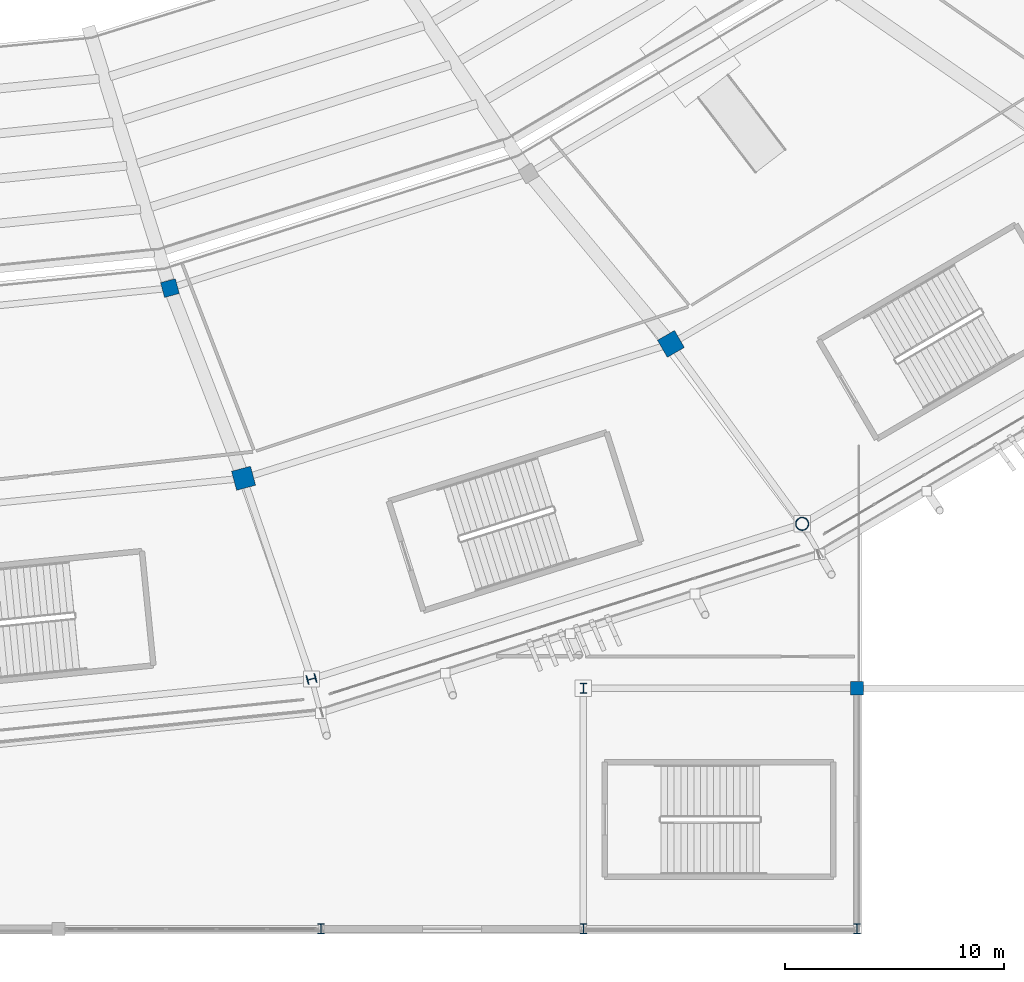
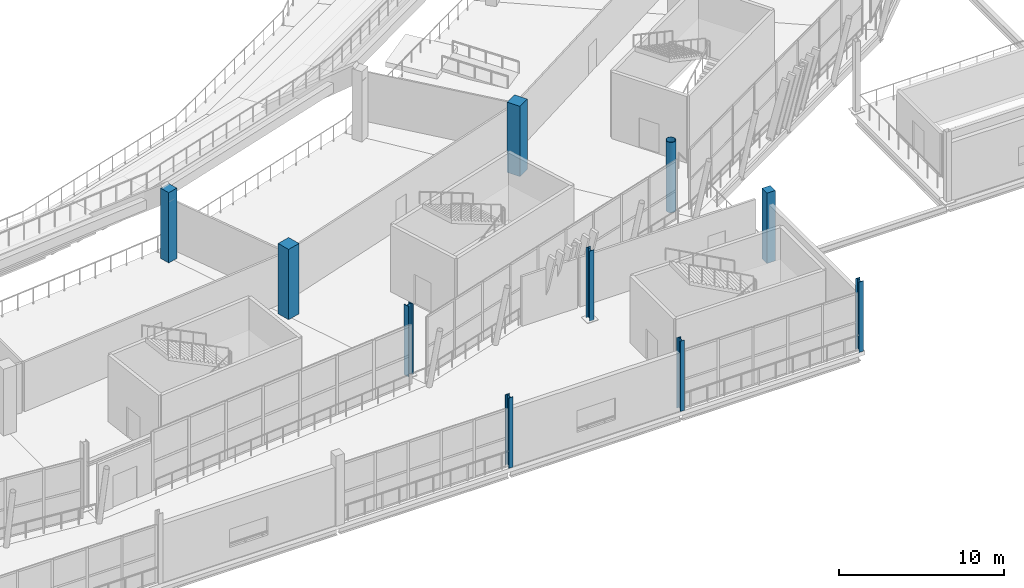
# One storey, part 11 of 178: 10 columns.
"""IFC4 building model written with IfcOpenShell, lengths in metres."""

from ifc_helpers import new_model, si_unit, direction, frame, origin, origin_2d, place, context, subcontext, project, spatial, rectangle, hollow_circle, i_section, extrude, material, material_profile, profile_set, type_object, element, save


model = new_model("IFC4")

# Units and contexts
model_context = context("Model", 3, precision=1e-05, world=origin(), true_north=direction((0.0, 1.0)))
body_context = subcontext(model_context, "Body", "Model", "MODEL_VIEW")
ifc_project = project(units=[si_unit("LENGTHUNIT", "METRE"), si_unit("AREAUNIT", "SQUARE_METRE"), si_unit("VOLUMEUNIT", "CUBIC_METRE"), si_unit("PLANEANGLEUNIT", "RADIAN"), si_unit("MASSUNIT", "GRAM", prefix="KILO")], contexts=[model_context])

# Site, building, storey
site_placement = place(None, origin())
site = spatial("IfcSite", under=ifc_project, at=site_placement, CompositionType="ELEMENT")
building_placement = place(site_placement, origin())
building = spatial("IfcBuilding", under=site, at=building_placement, Name="Zlatoyarsky Gate Stadium", CompositionType="ELEMENT")
storey_placement = place(building_placement, frame((0.0, 0.0, 5.39990234375)))
storey = spatial("IfcBuildingStorey", under=building, at=storey_placement, Name="L01", CompositionType="ELEMENT", Elevation=5.39990234375)

# Columns
ifc_material_1 = material(Name="Concrete C40/50", Category="concrete")
ifc_material_profile_1 = material_profile(ifc_material_1, rectangle(XDim=0.60009765625, YDim=0.60009765625, at=origin_2d()), Name="RC COL 600X600")
ifc_profile_set_1 = profile_set([ifc_material_profile_1], Name="Concrete C40/50")
column_type_1 = type_object("IfcColumnType", Name="CONCRETE COLUMN 600X600", PredefinedType="COLUMN", material=ifc_profile_set_1)
column_1_placement = place(storey_placement, frame((160.0, 11.0, 0.0), z_axis=(0.0, 0.0, 1.0), x_axis=(1.0, 0.0, 0.0)))
element("IfcColumn", 1, at=column_1_placement, inside=storey, type_object=column_type_1, Name="Column RC-C60 WG-14-B on L01", PredefinedType="COLUMN", context=body_context, shape_type="SweptSolid", body=[
    extrude(rectangle(XDim=0.60009765625, YDim=0.60009765625, at=origin_2d()), origin(), (0.0, 0.0, 1.0), 5.2001953125),
])
ifc_material_profile_2 = material_profile(ifc_material_1, rectangle(XDim=0.699951171875, YDim=0.699951171875, at=origin_2d()), Name="RC COL 700X700")
ifc_profile_set_2 = profile_set([ifc_material_profile_2], Name="Concrete C40/50")
column_type_2 = type_object("IfcColumnType", Name="CONCRETE COLUMN 700X700", PredefinedType="COLUMN", material=ifc_profile_set_2)
column_2_placement = place(storey_placement, frame((128.599609375, 29.288818359375, 0.0), z_axis=(0.0, 0.0, 1.0), x_axis=(0.258819045103, -0.965925826289, 0.0)))
element("IfcColumn", 2, at=column_2_placement, inside=storey, type_object=column_type_2, Name="Column RC-C70 RA-19 on L01", PredefinedType="COLUMN", context=body_context, shape_type="SweptSolid", body=[
    extrude(rectangle(XDim=0.699951171875, YDim=0.699951171875, at=origin_2d()), origin(), (0.0, 0.0, 1.0), 5.2001953125),
])
ifc_material_profile_3 = material_profile(ifc_material_1, rectangle(XDim=0.89990234375, YDim=0.89990234375, at=origin_2d()), Name="RC COL 900X900")
ifc_profile_set_3 = profile_set([ifc_material_profile_3], Name="Concrete C40/50")
column_type_3 = type_object("IfcColumnType", Name="CONCRETE COLUMN 900X900", PredefinedType="COLUMN", material=ifc_profile_set_3)
for number, where, z_axis, x_axis, name in (
    (3, (131.96435546875, 20.595703125, 0.0), (0.0, 0.0, 1.0), (0.258819045103, -0.965925826289, 0.0), "Column RC-C90 RB-19 on L01"),
    (4, (151.5, 26.739501953125, 0.0), (0.0, 0.0, 1.0), (0.5, -0.866025403784, 0.0), "Column RC-C90 RB-20 on L01"),
):
    element("IfcColumn", number, at=place(storey_placement, frame(where, z_axis=z_axis, x_axis=x_axis)), inside=storey, type_object=column_type_3, Name=name, PredefinedType="COLUMN", context=body_context, shape_type="SweptSolid", body=[
        extrude(rectangle(XDim=0.89990234375, YDim=0.89990234375, at=origin_2d()), origin(), (0.0, 0.0, 1.0), 5.2001953125),
    ])
ifc_material_2 = material(Name="Steel S355", Category="steel")
ifc_material_profile_4 = material_profile(ifc_material_2, i_section(OverallWidth=0.300048828125, OverallDepth=0.449951171875, WebThickness=0.013916015625, FlangeThickness=0.02587890625, FilletRadius=0.027099609375, at=origin_2d()), Name="HEB 450")
ifc_profile_set_4 = profile_set([ifc_material_profile_4], Name="Steel S355")
column_type_4 = type_object("IfcColumnType", Name="STEEL COLUMN HEB 450", PredefinedType="COLUMN", material=ifc_profile_set_4)
for number, where, z_axis, x_axis, name in (
    (5, (135.5, 0.0, 0.0), (0.0, 0.0, 1.0), (1.0, 0.0, 0.0), "Column ST-C450 WG-12-A on L01"),
    (6, (147.5, 0.0, 0.0), (0.0, 0.0, 1.0), (1.0, 0.0, 0.0), "Column ST-C450 WG-13-A on L01"),
    (7, (147.5, 11.0, 0.0), (0.0, 0.0, 1.0), (1.0, 0.0, 0.0), "Column ST-C450 WG-13-B on L01"),
    (8, (160.0, 0.0, 0.0), (0.0, 0.0, 1.0), (1.0, 0.0, 0.0), "Column ST-C450 WG-14-A on L01"),
):
    element("IfcColumn", number, at=place(storey_placement, frame(where, z_axis=z_axis, x_axis=x_axis)), inside=storey, type_object=column_type_4, Name=name, PredefinedType="COLUMN", context=body_context, shape_type="SweptSolid", body=[
        extrude(i_section(OverallWidth=0.300048828125, OverallDepth=0.449951171875, WebThickness=0.013916015625, FlangeThickness=0.02587890625, FilletRadius=0.027099609375, at=origin_2d()), origin(), (0.0, 0.0, 1.0), 5.2001953125),
    ])
ifc_material_profile_5 = material_profile(ifc_material_2, i_section(OverallWidth=0.406005859375, OverallDepth=0.416015625, WebThickness=0.02392578125, FlangeThickness=0.0390625, FilletRadius=0.014892578125, at=origin_2d()), Name="HD 400X382")
ifc_profile_set_5 = profile_set([ifc_material_profile_5], Name="Steel S355")
column_type_5 = type_object("IfcColumnType", Name="STEEL PORTAL PILASTER HD 400X382", PredefinedType="PILASTER", material=ifc_profile_set_5)
column_3_placement = place(storey_placement, frame((135.0703125, 11.419189453125, 0.0), z_axis=(0.0, 0.0, 1.0), x_axis=(0.258819045103, -0.965925826289, 0.0)))
element("IfcColumn", 9, at=column_3_placement, inside=storey, type_object=column_type_5, Name="Column ST-CHD RC-19 on L01", PredefinedType="PILASTER", context=body_context, shape_type="SweptSolid", body=[
    extrude(i_section(OverallWidth=0.406005859375, OverallDepth=0.416015625, WebThickness=0.02392578125, FlangeThickness=0.0390625, FilletRadius=0.014892578125, at=origin_2d()), origin(), (0.0, 0.0, 1.0), 5.2001953125),
])
ifc_material_profile_6 = material_profile(ifc_material_2, hollow_circle(Radius=0.304931640625, WallThickness=0.030029296875, at=origin_2d()), Name="CHS 610X30")
ifc_profile_set_6 = profile_set([ifc_material_profile_6], Name="Steel S355")
column_type_6 = type_object("IfcColumnType", Name="STEEL TUBULAR COLUMN CHS 610X30", PredefinedType="COLUMN", material=ifc_profile_set_6)
column_4_placement = place(storey_placement, frame((157.5, 18.51220703125, 0.0), z_axis=(0.0, 0.0, 1.0), x_axis=(0.5, -0.866025403784, 0.0)))
element("IfcColumn", 10, at=column_4_placement, inside=storey, type_object=column_type_6, Name="Column ST-C610 RC-20 on L01", PredefinedType="COLUMN", context=body_context, shape_type="SweptSolid", body=[
    extrude(hollow_circle(Radius=0.304931640625, WallThickness=0.030029296875, at=origin_2d()), origin(), (0.0, 0.0, 1.0), 5.2001953125),
])

save(model, "model.ifc")
